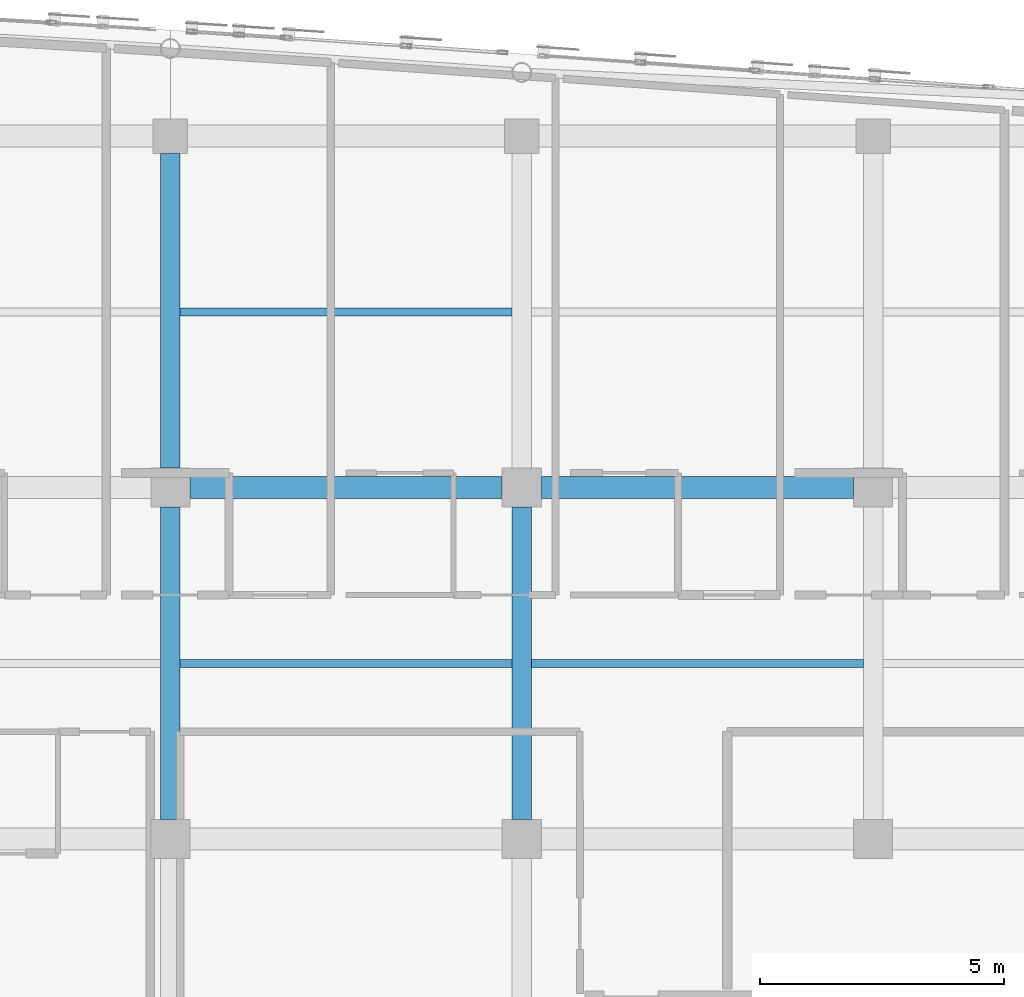
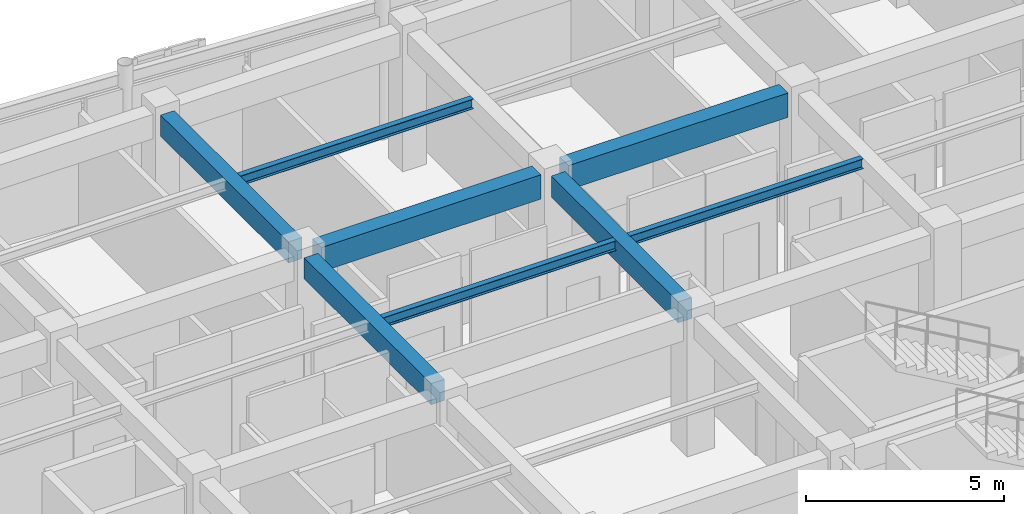
# One storey, part 44 of 106: 8 beams.
"""IFC4 building model written with IfcOpenShell, lengths in metres."""

import ifcopenshell
import ifcopenshell.guid

model = None  # the IFC model being written
_history = None  # IfcOwnerHistory: only IFC2X3 demands one
_inside = {}  # id of a spatial element -> (the spatial element, [elements in it])
_under = {}  # id of a project, library or spatial element -> (it, [spatial elements below it])
_declared = {}  # id of a project -> (the project, [libraries it declares])
_typed = {}  # id of a type object -> (the type object, [elements of that type])
_made_of = {}  # id of a material, layer set ... -> (it, [elements and type objects made of it])


def new_model(schema):
    """Start an empty IFC model of exactly this schema.

    Asked for "IFC4X3", IfcOpenShell would pick the latest addendum, in which some entities
    have other attributes; the version numbers below select the first issue.
    IFC2X3 requires an IfcOwnerHistory on every rooted entity: one is made here for all.
    """
    global model, _history
    if schema == "IFC4X3":
        model = ifcopenshell.file(schema_version=(4, 3, 0, 0))
    else:
        model = ifcopenshell.file(schema=schema)
    _inside.clear()
    _under.clear()
    _declared.clear()
    _typed.clear()
    _made_of.clear()
    _history = None
    if model.schema == "IFC2X3":
        org = make("IfcOrganization", Name="unknown")
        user = make(
            "IfcPersonAndOrganization",
            ThePerson=make("IfcPerson", FamilyName="unknown"),
            TheOrganization=org,
        )
        app = make(
            "IfcApplication",
            ApplicationDeveloper=org,
            Version="unknown",
            ApplicationFullName="unknown",
            ApplicationIdentifier="unknown",
        )
        _history = make(
            "IfcOwnerHistory",
            OwningUser=user,
            OwningApplication=app,
            ChangeAction="ADDED",
            CreationDate=0,
        )
    return model


def make(cls, **values):
    """One entity of the class cls with the attributes given. An attribute that is None is left unset."""
    return model.create_entity(
        cls, **{name: value for name, value in values.items() if value is not None}
    )


def rooted(cls, **values):
    """An entity with a GlobalId (a new one), such as an element, a storey or a relation."""
    return make(cls, GlobalId=ifcopenshell.guid.new(), OwnerHistory=_history, **values)


def si_unit(unit_type, name, prefix=None):
    """IfcSIUnit, for example si_unit("LENGTHUNIT", "METRE", prefix="MILLI")."""
    return make("IfcSIUnit", UnitType=unit_type, Prefix=prefix, Name=name)


def assignment(units):
    """IfcUnitAssignment: the units of a project."""
    return None if units is None else make("IfcUnitAssignment", Units=units)


def point(xyz):
    """IfcCartesianPoint."""
    return None if xyz is None else make("IfcCartesianPoint", Coordinates=xyz)


def direction(xyz):
    """IfcDirection."""
    return None if xyz is None else make("IfcDirection", DirectionRatios=xyz)


def frame(location, z_axis=None, x_axis=None):
    """IfcAxis2Placement3D, a coordinate frame: its origin and axes. An axis left out is left unset."""
    return make(
        "IfcAxis2Placement3D",
        Location=point(location),
        Axis=direction(z_axis),
        RefDirection=direction(x_axis),
    )


def frame_2d(location, x_axis=None):
    """IfcAxis2Placement2D, a coordinate frame in the plane: its origin and x axis."""
    return make(
        "IfcAxis2Placement2D", Location=point(location), RefDirection=direction(x_axis)
    )


def origin():
    """The frame at (0, 0, 0) with its axes left unset."""
    return frame((0.0, 0.0, 0.0))


def origin_2d():
    """The frame at (0, 0) in the plane with its x axis left unset."""
    return frame_2d((0.0, 0.0))


def place(relative_to, where):
    """IfcLocalPlacement: puts the frame where relative to a parent placement (None: the world)."""
    return make(
        "IfcLocalPlacement", PlacementRelTo=relative_to, RelativePlacement=where
    )


def context(
    kind, dimensions, precision=None, world=None, true_north=None, identifier=None
):
    """IfcGeometricRepresentationContext, for example the 3D "Model" context."""
    return make(
        "IfcGeometricRepresentationContext",
        ContextIdentifier=identifier,
        ContextType=kind,
        CoordinateSpaceDimension=dimensions,
        Precision=precision,
        WorldCoordinateSystem=world,
        TrueNorth=true_north,
    )


def subcontext(parent, identifier, kind, view, scale=None):
    """IfcGeometricRepresentationSubContext, for example "Body" below "Model"."""
    return make(
        "IfcGeometricRepresentationSubContext",
        ContextIdentifier=identifier,
        ContextType=kind,
        ParentContext=parent,
        TargetScale=scale,
        TargetView=view,
    )


def project(units=None, contexts=None):
    """IfcProject with its units and contexts."""
    return rooted(
        "IfcProject",
        Name="project",
        RepresentationContexts=contexts,
        UnitsInContext=assignment(units),
    )


def spatial(cls, under=None, at=None, **own):
    """A site, building, storey or space (cls), placed at a placement, below another one or the project."""
    s = rooted(cls, ObjectPlacement=at, **own)
    if under is not None:
        _under.setdefault(under.id(), (under, []))[1].append(s)
    return s


def profile(cls, at=None, kind="AREA", **sizes):
    """A parametric profile (cls). Its sizes go by their IFC names, for example OverallWidth=200.0."""
    return make(cls, ProfileType=kind, Position=at, **sizes)


def rectangle(**sizes):
    """IfcRectangleProfileDef."""
    return profile("IfcRectangleProfileDef", **sizes)


def i_section(**sizes):
    """IfcIShapeProfileDef."""
    return profile("IfcIShapeProfileDef", **sizes)


def extrude(swept, where, along, depth):
    """IfcExtrudedAreaSolid: the profile swept, set in the frame where, extruded along a direction by depth."""
    return make(
        "IfcExtrudedAreaSolid",
        SweptArea=swept,
        Position=where,
        ExtrudedDirection=direction(along),
        Depth=depth,
    )


def shape(context_of_items, identifier, shape_type, items):
    """IfcShapeRepresentation: the items that make up one representation, for example the "Body"."""
    return make(
        "IfcShapeRepresentation",
        ContextOfItems=context_of_items,
        RepresentationIdentifier=identifier,
        RepresentationType=shape_type,
        Items=items,
    )


def material(Name=None, Category=None):
    """IfcMaterial."""
    return make("IfcMaterial", Name=Name, Category=Category)


def material_profile(
    of_material, cross_section, Name=None, Category=None, Priority=None
):
    """IfcMaterialProfile: a cross section and its material."""
    return make(
        "IfcMaterialProfile",
        Name=Name,
        Material=of_material,
        Profile=cross_section,
        Priority=Priority,
        Category=Category,
    )


def profile_set(profiles, Name=None, composite=None):
    """IfcMaterialProfileSet."""
    return make(
        "IfcMaterialProfileSet",
        Name=Name,
        MaterialProfiles=profiles,
        CompositeProfile=composite,
    )


def made_of(thing, what):
    """Note that an element or type object is made of a material, layer set ...; save() writes the relation."""
    if what is not None:
        _made_of.setdefault(what.id(), (what, []))[1].append(thing)
    return thing


def type_object(cls, material=None, **own):
    """A type object (cls), such as IfcWallType, which elements share."""
    return made_of(rooted(cls, **own), material)


def element(
    cls,
    number,
    at=None,
    inside=None,
    cuts=None,
    type_object=None,
    material=None,
    context=None,
    identifier="Body",
    shape_type=None,
    held_by="IfcProductDefinitionShape",
    body=None,
    shapes=None,
    **own,
):
    """One element of the class cls, such as IfcWall. Its Tag is "e" and its number.

    at: its placement. inside: the storey or other place that contains it. cuts: it is an
    opening in that element (IfcRelVoidsElement). A single representation is given by context,
    identifier, shape_type and body (its items); several are given by shapes. held_by: the class
    of the entity that holds the representations. save() writes the other relations.
    """
    e = rooted(cls, Tag="e%d" % number, ObjectPlacement=at, **own)
    if body is not None:
        shapes = [shape(context, identifier, shape_type, body)]
    if shapes is not None:
        e.Representation = make(held_by, Representations=shapes)
    if inside is not None:
        _inside.setdefault(inside.id(), (inside, []))[1].append(e)
    if cuts is not None:
        rooted(
            "IfcRelVoidsElement", RelatingBuildingElement=cuts, RelatedOpeningElement=e
        )
    if type_object is not None:
        _typed.setdefault(type_object.id(), (type_object, []))[1].append(e)
    return made_of(e, material)


def aggregate(whole, parts):
    """IfcRelAggregates: a whole, such as a stair, and the parts it consists of."""
    return rooted("IfcRelAggregates", RelatingObject=whole, RelatedObjects=parts)


def save(model, path):
    """Write the relations noted so far, then the file.

    IfcRelAggregates (storeys below a building ...), IfcRelContainedInSpatialStructure (elements
    in a storey), IfcRelDefinesByType, IfcRelAssociatesMaterial and IfcRelDeclares: one each for
    every whole, place, type object, material and project.
    """
    for whole, parts in _under.values():
        aggregate(whole, parts)
    for where, things in _inside.values():
        rooted(
            "IfcRelContainedInSpatialStructure",
            RelatedElements=things,
            RelatingStructure=where,
        )
    for kind, things in _typed.values():
        rooted("IfcRelDefinesByType", RelatedObjects=things, RelatingType=kind)
    for what, things in _made_of.values():
        rooted("IfcRelAssociatesMaterial", RelatedObjects=things, RelatingMaterial=what)
    for by, libraries in _declared.values():
        rooted("IfcRelDeclares", RelatingContext=by, RelatedDefinitions=libraries)
    model.write(path)


model = new_model("IFC4")

# Units and contexts
model_context = context("Model", 3, precision=1e-05, world=origin(), true_north=direction((0.0, 1.0)))
body_context = subcontext(model_context, "Body", "Model", "MODEL_VIEW")
ifc_project = project(units=[si_unit("LENGTHUNIT", "METRE"), si_unit("AREAUNIT", "SQUARE_METRE"), si_unit("VOLUMEUNIT", "CUBIC_METRE"), si_unit("PLANEANGLEUNIT", "RADIAN"), si_unit("MASSUNIT", "GRAM", prefix="KILO")], contexts=[model_context])

# Site, building, storey
site_placement = place(None, origin())
site = spatial("IfcSite", under=ifc_project, at=site_placement, CompositionType="ELEMENT")
building_placement = place(site_placement, origin())
building = spatial("IfcBuilding", under=site, at=building_placement, Name="Carrowvane Square Congress Hotel", CompositionType="ELEMENT")
storey_placement = place(building_placement, frame((0.0, 0.0, 10.5)))
storey = spatial("IfcBuildingStorey", under=building, at=storey_placement, Name="L02", CompositionType="ELEMENT", Elevation=10.5)

# Beams
ifc_material_1 = material(Name="Concrete C35/45", Category="concrete")
ifc_material_profile_1 = material_profile(ifc_material_1, rectangle(XDim=0.39990234375, YDim=0.64990234375, at=origin_2d()), Name="RC 400x650")
ifc_profile_set_1 = profile_set([ifc_material_profile_1], Name="Concrete C35/45")
beam_type_1 = type_object("IfcBeamType", Name="BM-RC-400x650", PredefinedType="BEAM", material=ifc_profile_set_1)
beam_1_placement = place(storey_placement, frame((126.800048828125, 99.39990234375, 3.89501953125), z_axis=(0.0, 1.0, 0.0), x_axis=(-1.0, 0.0, 0.0)))
element("IfcBeam", 1, at=beam_1_placement, inside=storey, type_object=beam_type_1, Name="L03 girder 17/P-Q", PredefinedType="BEAM", context=body_context, shape_type="SweptSolid", body=[
    extrude(rectangle(XDim=0.39990234375, YDim=0.64990234375, at=origin_2d()), origin(), (0.0, 0.0, 1.0), 6.400146484375),
])
beam_2_placement = place(storey_placement, frame((126.800048828125, 106.60009765625, 3.89501953125), z_axis=(0.0, 1.0, 0.0), x_axis=(-1.0, 0.0, 0.0)))
element("IfcBeam", 2, at=beam_2_placement, inside=storey, type_object=beam_type_1, Name="L03 girder 17/Q-R", PredefinedType="BEAM", context=body_context, shape_type="SweptSolid", body=[
    extrude(rectangle(XDim=0.39990234375, YDim=0.64990234375, at=origin_2d()), origin(), (0.0, 0.0, 1.0), 6.449951171875),
])
beam_3_placement = place(storey_placement, frame((134.0, 99.39990234375, 3.89501953125), z_axis=(0.0, 1.0, 0.0), x_axis=(-1.0, 0.0, 0.0)))
element("IfcBeam", 3, at=beam_3_placement, inside=storey, type_object=beam_type_1, Name="L03 girder 18/P-Q", PredefinedType="BEAM", context=body_context, shape_type="SweptSolid", body=[
    extrude(rectangle(XDim=0.39990234375, YDim=0.64990234375, at=origin_2d()), origin(), (0.0, 0.0, 1.0), 6.400146484375),
])
ifc_material_2 = material(Name="Concrete C35/45", Category="concrete")
ifc_material_profile_2 = material_profile(ifc_material_2, rectangle(XDim=0.449951171875, YDim=0.75, at=origin_2d()), Name="RC 450x750")
ifc_profile_set_2 = profile_set([ifc_material_profile_2], Name="Concrete C35/45")
beam_type_2 = type_object("IfcBeamType", Name="BM-RC-450x750", PredefinedType="USERDEFINED", material=ifc_profile_set_2)
for number, where, z_axis, x_axis, name in (
    (4, (127.199951171875, 106.199951171875, 3.844970703125), (1.0, 0.0, 0.0), (0.0, 1.0, 0.0), "L03 girder Q/17-18"),
    (5, (134.39990234375, 106.199951171875, 3.844970703125), (1.0, 0.0, 0.0), (0.0, 1.0, 0.0), "L03 girder Q/18-19"),
):
    element("IfcBeam", number, at=place(storey_placement, frame(where, z_axis=z_axis, x_axis=x_axis)), inside=storey, type_object=beam_type_2, Name=name, ObjectType="GIRDER", PredefinedType="USERDEFINED", context=body_context, shape_type="SweptSolid", body=[
        extrude(rectangle(XDim=0.449951171875, YDim=0.75, at=origin_2d()), origin(), (0.0, 0.0, 1.0), 6.400146484375),
    ])
ifc_material_3 = material(Name="Steel S355", Category="steel")
ifc_material_profile_3 = material_profile(ifc_material_3, i_section(OverallWidth=0.165771484375, OverallDepth=0.306640625, WebThickness=0.006591796875, FlangeThickness=0.01171875, FilletRadius=0.0087890625, at=origin_2d()), Name="UKB 305x165x46")
ifc_profile_set_3 = profile_set([ifc_material_profile_3], Name="Steel S355")
beam_type_3 = type_object("IfcBeamType", Name="BM-ST-UKB305", PredefinedType="JOIST", material=ifc_profile_set_3)
for number, where, z_axis, x_axis, name in (
    (6, (127.0, 102.60009765625, 4.066650390625), (1.0, 0.0, 0.0), (0.0, 1.0, 0.0), "L03 secondary joist 17-18"),
    (7, (127.0, 109.800048828125, 4.066650390625), (1.0, 0.0, 0.0), (0.0, 1.0, 0.0), "L03 secondary joist 17-18"),
    (8, (134.199951171875, 102.60009765625, 4.066650390625), (1.0, 0.0, 0.0), (0.0, 1.0, 0.0), "L03 secondary joist 18-19"),
):
    element("IfcBeam", number, at=place(storey_placement, frame(where, z_axis=z_axis, x_axis=x_axis)), inside=storey, type_object=beam_type_3, Name=name, PredefinedType="JOIST", context=body_context, shape_type="SweptSolid", body=[
        extrude(i_section(OverallWidth=0.165771484375, OverallDepth=0.306640625, WebThickness=0.006591796875, FlangeThickness=0.01171875, FilletRadius=0.0087890625, at=origin_2d()), origin(), (0.0, 0.0, 1.0), 6.800048828125),
    ])

save(model, "model.ifc")
